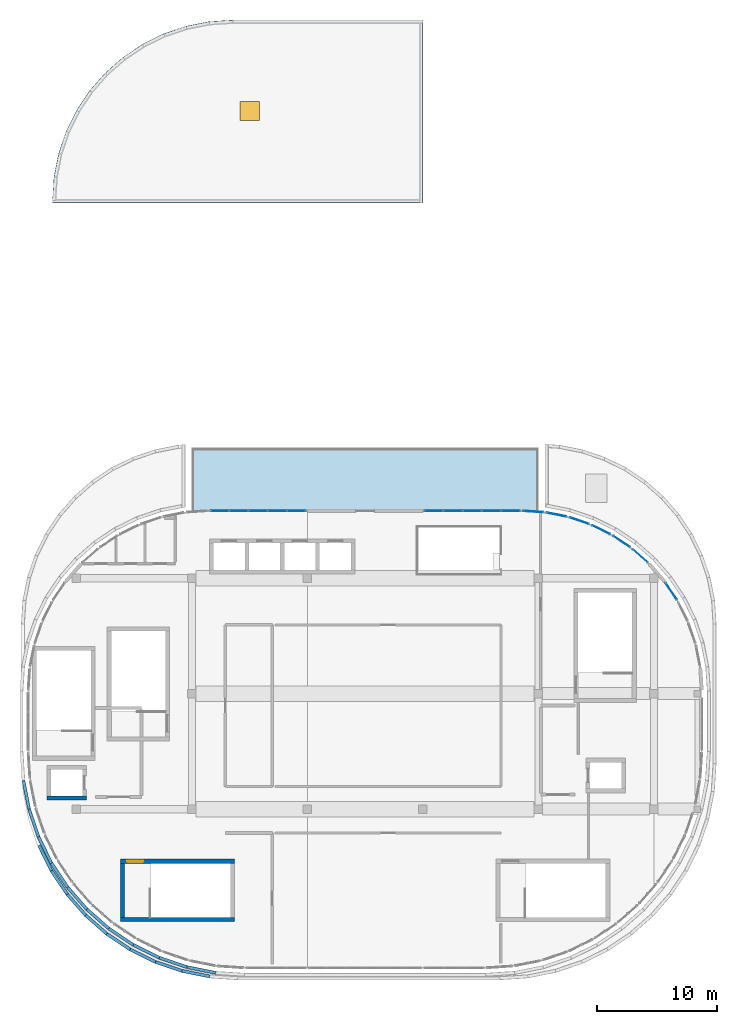
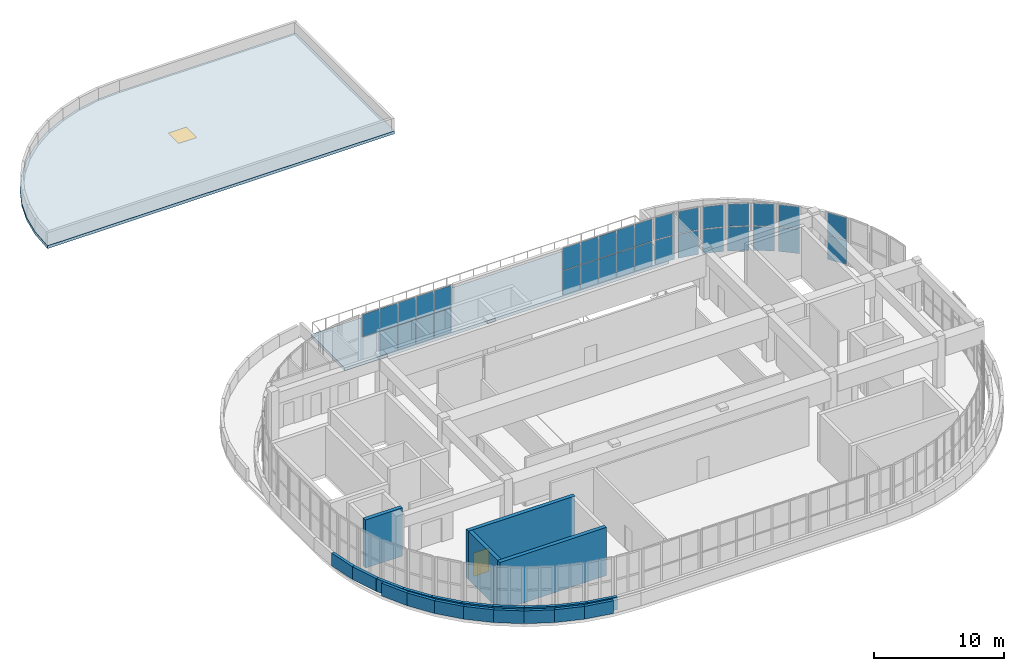
# One storey, part 16 of 23: 33 plates, 22 walls, 2 slabs, 1 door, 1 window, 2 openings, 9 elements without a shape of their own.
"""IFC4 building model written with IfcOpenShell, lengths in metres."""

import ifcopenshell
import ifcopenshell.guid

model = None  # the IFC model being written
_history = None  # IfcOwnerHistory: only IFC2X3 demands one
_inside = {}  # id of a spatial element -> (the spatial element, [elements in it])
_under = {}  # id of a project, library or spatial element -> (it, [spatial elements below it])
_declared = {}  # id of a project -> (the project, [libraries it declares])
_typed = {}  # id of a type object -> (the type object, [elements of that type])
_made_of = {}  # id of a material, layer set ... -> (it, [elements and type objects made of it])


def new_model(schema):
    """Start an empty IFC model of exactly this schema.

    Asked for "IFC4X3", IfcOpenShell would pick the latest addendum, in which some entities
    have other attributes; the version numbers below select the first issue.
    IFC2X3 requires an IfcOwnerHistory on every rooted entity: one is made here for all.
    """
    global model, _history
    if schema == "IFC4X3":
        model = ifcopenshell.file(schema_version=(4, 3, 0, 0))
    else:
        model = ifcopenshell.file(schema=schema)
    _inside.clear()
    _under.clear()
    _declared.clear()
    _typed.clear()
    _made_of.clear()
    _history = None
    if model.schema == "IFC2X3":
        org = make("IfcOrganization", Name="unknown")
        user = make(
            "IfcPersonAndOrganization",
            ThePerson=make("IfcPerson", FamilyName="unknown"),
            TheOrganization=org,
        )
        app = make(
            "IfcApplication",
            ApplicationDeveloper=org,
            Version="unknown",
            ApplicationFullName="unknown",
            ApplicationIdentifier="unknown",
        )
        _history = make(
            "IfcOwnerHistory",
            OwningUser=user,
            OwningApplication=app,
            ChangeAction="ADDED",
            CreationDate=0,
        )
    return model


def make(cls, **values):
    """One entity of the class cls with the attributes given. An attribute that is None is left unset."""
    return model.create_entity(
        cls, **{name: value for name, value in values.items() if value is not None}
    )


def rooted(cls, **values):
    """An entity with a GlobalId (a new one), such as an element, a storey or a relation."""
    return make(cls, GlobalId=ifcopenshell.guid.new(), OwnerHistory=_history, **values)


def si_unit(unit_type, name, prefix=None):
    """IfcSIUnit, for example si_unit("LENGTHUNIT", "METRE", prefix="MILLI")."""
    return make("IfcSIUnit", UnitType=unit_type, Prefix=prefix, Name=name)


def assignment(units):
    """IfcUnitAssignment: the units of a project."""
    return None if units is None else make("IfcUnitAssignment", Units=units)


def point(xyz):
    """IfcCartesianPoint."""
    return None if xyz is None else make("IfcCartesianPoint", Coordinates=xyz)


def direction(xyz):
    """IfcDirection."""
    return None if xyz is None else make("IfcDirection", DirectionRatios=xyz)


def frame(location, z_axis=None, x_axis=None):
    """IfcAxis2Placement3D, a coordinate frame: its origin and axes. An axis left out is left unset."""
    return make(
        "IfcAxis2Placement3D",
        Location=point(location),
        Axis=direction(z_axis),
        RefDirection=direction(x_axis),
    )


def frame_2d(location, x_axis=None):
    """IfcAxis2Placement2D, a coordinate frame in the plane: its origin and x axis."""
    return make(
        "IfcAxis2Placement2D", Location=point(location), RefDirection=direction(x_axis)
    )


def origin():
    """The frame at (0, 0, 0) with its axes left unset."""
    return frame((0.0, 0.0, 0.0))


def origin_2d():
    """The frame at (0, 0) in the plane with its x axis left unset."""
    return frame_2d((0.0, 0.0))


def place(relative_to, where):
    """IfcLocalPlacement: puts the frame where relative to a parent placement (None: the world)."""
    return make(
        "IfcLocalPlacement", PlacementRelTo=relative_to, RelativePlacement=where
    )


def context(
    kind, dimensions, precision=None, world=None, true_north=None, identifier=None
):
    """IfcGeometricRepresentationContext, for example the 3D "Model" context."""
    return make(
        "IfcGeometricRepresentationContext",
        ContextIdentifier=identifier,
        ContextType=kind,
        CoordinateSpaceDimension=dimensions,
        Precision=precision,
        WorldCoordinateSystem=world,
        TrueNorth=true_north,
    )


def subcontext(parent, identifier, kind, view, scale=None):
    """IfcGeometricRepresentationSubContext, for example "Body" below "Model"."""
    return make(
        "IfcGeometricRepresentationSubContext",
        ContextIdentifier=identifier,
        ContextType=kind,
        ParentContext=parent,
        TargetScale=scale,
        TargetView=view,
    )


def project(units=None, contexts=None):
    """IfcProject with its units and contexts."""
    return rooted(
        "IfcProject",
        Name="project",
        RepresentationContexts=contexts,
        UnitsInContext=assignment(units),
    )


def spatial(cls, under=None, at=None, **own):
    """A site, building, storey or space (cls), placed at a placement, below another one or the project."""
    s = rooted(cls, ObjectPlacement=at, **own)
    if under is not None:
        _under.setdefault(under.id(), (under, []))[1].append(s)
    return s


def polyline(points):
    """IfcPolyline through the points."""
    return make("IfcPolyline", Points=[point(p) for p in points])


def profile(cls, at=None, kind="AREA", **sizes):
    """A parametric profile (cls). Its sizes go by their IFC names, for example OverallWidth=200.0."""
    return make(cls, ProfileType=kind, Position=at, **sizes)


def rectangle(**sizes):
    """IfcRectangleProfileDef."""
    return profile("IfcRectangleProfileDef", **sizes)


def outline(outer, holes=None, kind="AREA"):
    """IfcArbitraryClosedProfileDef: a profile drawn as a closed curve; with holes, ...WithVoids."""
    if holes is None:
        return make("IfcArbitraryClosedProfileDef", ProfileType=kind, OuterCurve=outer)
    return make(
        "IfcArbitraryProfileDefWithVoids",
        ProfileType=kind,
        OuterCurve=outer,
        InnerCurves=holes,
    )


def extrude(swept, where, along, depth):
    """IfcExtrudedAreaSolid: the profile swept, set in the frame where, extruded along a direction by depth."""
    return make(
        "IfcExtrudedAreaSolid",
        SweptArea=swept,
        Position=where,
        ExtrudedDirection=direction(along),
        Depth=depth,
    )


def shape(context_of_items, identifier, shape_type, items):
    """IfcShapeRepresentation: the items that make up one representation, for example the "Body"."""
    return make(
        "IfcShapeRepresentation",
        ContextOfItems=context_of_items,
        RepresentationIdentifier=identifier,
        RepresentationType=shape_type,
        Items=items,
    )


def material(Name=None, Category=None):
    """IfcMaterial."""
    return make("IfcMaterial", Name=Name, Category=Category)


def layer(
    of_material, thickness, ventilated=None, Name=None, Category=None, Priority=None
):
    """IfcMaterialLayer: one layer of a wall or slab, of a material (None: an air gap)."""
    return make(
        "IfcMaterialLayer",
        Material=of_material,
        LayerThickness=thickness,
        IsVentilated=ventilated,
        Name=Name,
        Category=Category,
        Priority=Priority,
    )


def layer_set(layers, Name=None):
    """IfcMaterialLayerSet."""
    return make("IfcMaterialLayerSet", MaterialLayers=layers, LayerSetName=Name)


def made_of(thing, what):
    """Note that an element or type object is made of a material, layer set ...; save() writes the relation."""
    if what is not None:
        _made_of.setdefault(what.id(), (what, []))[1].append(thing)
    return thing


def type_object(cls, material=None, **own):
    """A type object (cls), such as IfcWallType, which elements share."""
    return made_of(rooted(cls, **own), material)


def element(
    cls,
    number,
    at=None,
    inside=None,
    cuts=None,
    type_object=None,
    material=None,
    context=None,
    identifier="Body",
    shape_type=None,
    held_by="IfcProductDefinitionShape",
    body=None,
    shapes=None,
    **own,
):
    """One element of the class cls, such as IfcWall. Its Tag is "e" and its number.

    at: its placement. inside: the storey or other place that contains it. cuts: it is an
    opening in that element (IfcRelVoidsElement). A single representation is given by context,
    identifier, shape_type and body (its items); several are given by shapes. held_by: the class
    of the entity that holds the representations. save() writes the other relations.
    """
    e = rooted(cls, Tag="e%d" % number, ObjectPlacement=at, **own)
    if body is not None:
        shapes = [shape(context, identifier, shape_type, body)]
    if shapes is not None:
        e.Representation = make(held_by, Representations=shapes)
    if inside is not None:
        _inside.setdefault(inside.id(), (inside, []))[1].append(e)
    if cuts is not None:
        rooted(
            "IfcRelVoidsElement", RelatingBuildingElement=cuts, RelatedOpeningElement=e
        )
    if type_object is not None:
        _typed.setdefault(type_object.id(), (type_object, []))[1].append(e)
    return made_of(e, material)


def fill(opening, filler):
    """IfcRelFillsElement: the door or window that sits in an opening."""
    return rooted(
        "IfcRelFillsElement",
        RelatingOpeningElement=opening,
        RelatedBuildingElement=filler,
    )


def aggregate(whole, parts):
    """IfcRelAggregates: a whole, such as a stair, and the parts it consists of."""
    return rooted("IfcRelAggregates", RelatingObject=whole, RelatedObjects=parts)


def save(model, path):
    """Write the relations noted so far, then the file.

    IfcRelAggregates (storeys below a building ...), IfcRelContainedInSpatialStructure (elements
    in a storey), IfcRelDefinesByType, IfcRelAssociatesMaterial and IfcRelDeclares: one each for
    every whole, place, type object, material and project.
    """
    for whole, parts in _under.values():
        aggregate(whole, parts)
    for where, things in _inside.values():
        rooted(
            "IfcRelContainedInSpatialStructure",
            RelatedElements=things,
            RelatingStructure=where,
        )
    for kind, things in _typed.values():
        rooted("IfcRelDefinesByType", RelatedObjects=things, RelatingType=kind)
    for what, things in _made_of.values():
        rooted("IfcRelAssociatesMaterial", RelatedObjects=things, RelatingMaterial=what)
    for by, libraries in _declared.values():
        rooted("IfcRelDeclares", RelatingContext=by, RelatedDefinitions=libraries)
    model.write(path)


model = new_model("IFC4")

# Units and contexts
model_context = context("Model", 3, precision=1e-05, world=origin(), true_north=direction((0.0, 1.0)))
body_context = subcontext(model_context, "Body", "Model", "MODEL_VIEW")
ifc_project = project(units=[si_unit("LENGTHUNIT", "METRE"), si_unit("AREAUNIT", "SQUARE_METRE"), si_unit("VOLUMEUNIT", "CUBIC_METRE"), si_unit("PLANEANGLEUNIT", "RADIAN"), si_unit("MASSUNIT", "GRAM", prefix="KILO")], contexts=[model_context])

# Site, building, storey
site_placement = place(None, origin())
site = spatial("IfcSite", under=ifc_project, at=site_placement, CompositionType="ELEMENT")
building_placement = place(site_placement, origin())
building = spatial("IfcBuilding", under=site, at=building_placement, Name="Cendralis Terraced Arcade", CompositionType="ELEMENT")
storey_placement = place(building_placement, frame((0.0, 0.0, 29.39990234375)))
storey = spatial("IfcBuildingStorey", under=building, at=storey_placement, Name="L06", CompositionType="ELEMENT", Elevation=29.39990234375)

# Curtain wall, plates
ifc_material_1 = material(Name="Anodised aluminium EN AW-6063 T6", Category="aluminium")
ifc_layer_1 = layer(ifc_material_1, 0.179931640625, Name="CW-UNIT-A")
ifc_layer_set_1 = layer_set([ifc_layer_1], Name="Anodised aluminium EN AW-6063 T6")
curtain_wall_type_1 = type_object("IfcCurtainWallType", Name="CW-UNIT-A", PredefinedType="USERDEFINED", material=ifc_layer_set_1)
curtain_wall_1_placement = place(storey_placement, origin())
curtain_wall_1 = element("IfcCurtainWall", 1, at=curtain_wall_1_placement, inside=storey, type_object=curtain_wall_type_1, Name="Exterior Unitised Facade CW-L06-0459", ObjectType="UNITISED FACADE", PredefinedType="USERDEFINED")
ifc_material_2 = material(Name="Tempered solar control laminated glass", Category="glass")
ifc_layer_2 = layer(ifc_material_2, 0.035888671875, Name="CW-UNIT-A-PNL")
ifc_layer_set_2 = layer_set([ifc_layer_2], Name="Tempered solar control laminated glass")
plate_type_1 = type_object("IfcPlateType", Name="CW-UNIT-A-PNL", PredefinedType="CURTAIN_PANEL", material=ifc_layer_set_2)
plate_1_placement = place(storey_placement, frame((47.578857421875, 43.935791015625, 0.06494140625), z_axis=(0.0, 0.0, 1.0), x_axis=(0.997860971336, -0.065371873798, 0.0)))
plate_1 = element("IfcPlate", 2, at=plate_1_placement, type_object=plate_type_1, Name="CW-U1 panel 1.1", PredefinedType="CURTAIN_PANEL", context=body_context, shape_type="SweptSolid", body=[
    extrude(rectangle(XDim=1.652099609375, YDim=0.035888671875, at=origin_2d()), origin(), (0.0, 0.0, 1.0), 2.255615234375),
])
plate_2_placement = place(storey_placement, frame((47.578857421875, 43.935791015625, 2.3857421875), z_axis=(0.0, 0.0, 1.0), x_axis=(0.997860971336, -0.065371873798, 0.0)))
plate_2 = element("IfcPlate", 3, at=plate_2_placement, type_object=plate_type_1, Name="CW-U1 panel 1.2", PredefinedType="CURTAIN_PANEL", context=body_context, shape_type="SweptSolid", body=[
    extrude(rectangle(XDim=1.652099609375, YDim=0.035888671875, at=origin_2d()), origin(), (0.0, 0.0, 1.0), 2.074462890625),
])
aggregate(curtain_wall_1, [plate_1, plate_2])

curtain_wall_2_placement = place(storey_placement, origin())
curtain_wall_2 = element("IfcCurtainWall", 4, at=curtain_wall_2_placement, inside=storey, type_object=curtain_wall_type_1, Name="Exterior Unitised Facade CW-L06-0460", ObjectType="UNITISED FACADE", PredefinedType="USERDEFINED")
plate_3_placement = place(storey_placement, frame((49.52001953125, 43.680419921875, 0.06494140625), z_axis=(0.0, 0.0, 1.0), x_axis=(0.980791618721, -0.195058454434, 0.0)))
plate_3 = element("IfcPlate", 5, at=plate_3_placement, type_object=plate_type_1, Name="CW-U1 panel 1.1", PredefinedType="CURTAIN_PANEL", context=body_context, shape_type="SweptSolid", body=[
    extrude(rectangle(XDim=1.652099609375, YDim=0.035888671875, at=origin_2d()), origin(), (0.0, 0.0, 1.0), 2.255615234375),
])
plate_4_placement = place(storey_placement, frame((49.52001953125, 43.680419921875, 2.3857421875), z_axis=(0.0, 0.0, 1.0), x_axis=(0.980791618721, -0.195058454434, 0.0)))
plate_4 = element("IfcPlate", 6, at=plate_4_placement, type_object=plate_type_1, Name="CW-U1 panel 1.2", PredefinedType="CURTAIN_PANEL", context=body_context, shape_type="SweptSolid", body=[
    extrude(rectangle(XDim=1.652099609375, YDim=0.035888671875, at=origin_2d()), origin(), (0.0, 0.0, 1.0), 2.074462890625),
])
aggregate(curtain_wall_2, [plate_3, plate_4])

curtain_wall_3_placement = place(storey_placement, origin())
curtain_wall_3 = element("IfcCurtainWall", 7, at=curtain_wall_3_placement, inside=storey, type_object=curtain_wall_type_1, Name="Exterior Unitised Facade CW-L06-0461", ObjectType="UNITISED FACADE", PredefinedType="USERDEFINED")
plate_5_placement = place(storey_placement, frame((51.411376953125, 43.173583984375, 0.06494140625), z_axis=(0.0, 0.0, 1.0), x_axis=(0.946923811316, -0.321458077458, 0.0)))
plate_5 = element("IfcPlate", 8, at=plate_5_placement, type_object=plate_type_1, Name="CW-U1 panel 1.1", PredefinedType="CURTAIN_PANEL", context=body_context, shape_type="SweptSolid", body=[
    extrude(rectangle(XDim=1.652099609375, YDim=0.035888671875, at=origin_2d()), origin(), (0.0, 0.0, 1.0), 2.255615234375),
])
plate_6_placement = place(storey_placement, frame((51.411376953125, 43.173583984375, 2.3857421875), z_axis=(0.0, 0.0, 1.0), x_axis=(0.946923811316, -0.321458077458, 0.0)))
plate_6 = element("IfcPlate", 9, at=plate_6_placement, type_object=plate_type_1, Name="CW-U1 panel 1.2", PredefinedType="CURTAIN_PANEL", context=body_context, shape_type="SweptSolid", body=[
    extrude(rectangle(XDim=1.652099609375, YDim=0.035888671875, at=origin_2d()), origin(), (0.0, 0.0, 1.0), 2.074462890625),
])
aggregate(curtain_wall_3, [plate_5, plate_6])

curtain_wall_4_placement = place(storey_placement, origin())
curtain_wall_4 = element("IfcCurtainWall", 10, at=curtain_wall_4_placement, inside=storey, type_object=curtain_wall_type_1, Name="Exterior Unitised Facade CW-L06-0462", ObjectType="UNITISED FACADE", PredefinedType="USERDEFINED")
plate_7_placement = place(storey_placement, frame((53.22021484375, 42.42431640625, 0.06494140625), z_axis=(0.0, 0.0, 1.0), x_axis=(0.896871480419, -0.442291247495, 0.0)))
plate_7 = element("IfcPlate", 11, at=plate_7_placement, type_object=plate_type_1, Name="CW-U1 panel 1.1", PredefinedType="CURTAIN_PANEL", context=body_context, shape_type="SweptSolid", body=[
    extrude(rectangle(XDim=1.652099609375, YDim=0.035888671875, at=origin_2d()), origin(), (0.0, 0.0, 1.0), 2.255615234375),
])
plate_8_placement = place(storey_placement, frame((53.22021484375, 42.42431640625, 2.3857421875), z_axis=(0.0, 0.0, 1.0), x_axis=(0.896871480419, -0.442291247495, 0.0)))
plate_8 = element("IfcPlate", 12, at=plate_8_placement, type_object=plate_type_1, Name="CW-U1 panel 1.2", PredefinedType="CURTAIN_PANEL", context=body_context, shape_type="SweptSolid", body=[
    extrude(rectangle(XDim=1.652099609375, YDim=0.035888671875, at=origin_2d()), origin(), (0.0, 0.0, 1.0), 2.074462890625),
])
aggregate(curtain_wall_4, [plate_7, plate_8])

curtain_wall_5_placement = place(storey_placement, origin())
curtain_wall_5 = element("IfcCurtainWall", 13, at=curtain_wall_5_placement, inside=storey, type_object=curtain_wall_type_1, Name="Exterior Unitised Facade CW-L06-0463", ObjectType="UNITISED FACADE", PredefinedType="USERDEFINED")
plate_9_placement = place(storey_placement, frame((54.915771484375, 41.4453125, 0.06494140625), z_axis=(0.0, 0.0, 1.0), x_axis=(0.831471454125, -0.555567476528, 0.0)))
plate_9 = element("IfcPlate", 14, at=plate_9_placement, type_object=plate_type_1, Name="CW-U1 panel 1.1", PredefinedType="CURTAIN_PANEL", context=body_context, shape_type="SweptSolid", body=[
    extrude(rectangle(XDim=1.652099609375, YDim=0.035888671875, at=origin_2d()), origin(), (0.0, 0.0, 1.0), 2.255615234375),
])
plate_10_placement = place(storey_placement, frame((54.915771484375, 41.4453125, 2.3857421875), z_axis=(0.0, 0.0, 1.0), x_axis=(0.831471454125, -0.555567476528, 0.0)))
plate_10 = element("IfcPlate", 15, at=plate_10_placement, type_object=plate_type_1, Name="CW-U1 panel 1.2", PredefinedType="CURTAIN_PANEL", context=body_context, shape_type="SweptSolid", body=[
    extrude(rectangle(XDim=1.652099609375, YDim=0.035888671875, at=origin_2d()), origin(), (0.0, 0.0, 1.0), 2.074462890625),
])
aggregate(curtain_wall_5, [plate_9, plate_10])

curtain_wall_6_placement = place(storey_placement, origin())
curtain_wall_6 = element("IfcCurtainWall", 16, at=curtain_wall_6_placement, inside=storey, type_object=curtain_wall_type_1, Name="Exterior Unitised Facade CW-L06-0464", ObjectType="UNITISED FACADE", PredefinedType="USERDEFINED")
plate_11_placement = place(storey_placement, frame((56.468994140625, 40.25341796875, 0.06494140625), z_axis=(0.0, 0.0, 1.0), x_axis=(0.751804497477, -0.659386076266, 0.0)))
plate_11 = element("IfcPlate", 17, at=plate_11_placement, type_object=plate_type_1, Name="CW-U1 panel 1.1", PredefinedType="CURTAIN_PANEL", context=body_context, shape_type="SweptSolid", body=[
    extrude(rectangle(XDim=1.652099609375, YDim=0.035888671875, at=origin_2d()), origin(), (0.0, 0.0, 1.0), 2.255615234375),
])
plate_12_placement = place(storey_placement, frame((56.468994140625, 40.25341796875, 2.3857421875), z_axis=(0.0, 0.0, 1.0), x_axis=(0.751804497477, -0.659386076266, 0.0)))
plate_12 = element("IfcPlate", 18, at=plate_12_placement, type_object=plate_type_1, Name="CW-U1 panel 1.2", PredefinedType="CURTAIN_PANEL", context=body_context, shape_type="SweptSolid", body=[
    extrude(rectangle(XDim=1.652099609375, YDim=0.035888671875, at=origin_2d()), origin(), (0.0, 0.0, 1.0), 2.074462890625),
])
aggregate(curtain_wall_6, [plate_11, plate_12])

curtain_wall_7_placement = place(storey_placement, origin())
curtain_wall_7 = element("IfcCurtainWall", 19, at=curtain_wall_7_placement, inside=storey, type_object=curtain_wall_type_1, Name="Exterior Unitised Facade CW-L06-0465", ObjectType="UNITISED FACADE", PredefinedType="USERDEFINED")
plate_13_placement = place(storey_placement, frame((59.04541015625, 37.315673828125, 0.06494140625), z_axis=(0.0, 0.0, 1.0), x_axis=(0.555567476528, -0.831471454125, 0.0)))
plate_13 = element("IfcPlate", 20, at=plate_13_placement, type_object=plate_type_1, Name="CW-U1 panel 1.1", PredefinedType="CURTAIN_PANEL", context=body_context, shape_type="SweptSolid", body=[
    extrude(rectangle(XDim=1.652099609375, YDim=0.035888671875, at=origin_2d()), origin(), (0.0, 0.0, 1.0), 2.255615234375),
])
plate_14_placement = place(storey_placement, frame((59.04541015625, 37.315673828125, 2.3857421875), z_axis=(0.0, 0.0, 1.0), x_axis=(0.555567476528, -0.831471454125, 0.0)))
plate_14 = element("IfcPlate", 21, at=plate_14_placement, type_object=plate_type_1, Name="CW-U1 panel 1.2", PredefinedType="CURTAIN_PANEL", context=body_context, shape_type="SweptSolid", body=[
    extrude(rectangle(XDim=1.652099609375, YDim=0.035888671875, at=origin_2d()), origin(), (0.0, 0.0, 1.0), 2.074462890625),
])
aggregate(curtain_wall_7, [plate_13, plate_14])

ifc_layer_3 = layer(ifc_material_1, 0.159912109375, Name="CW-UNIT-B")
ifc_layer_set_3 = layer_set([ifc_layer_3], Name="Anodised aluminium EN AW-6063 T6")
curtain_wall_type_2 = type_object("IfcCurtainWallType", Name="CW-UNIT-B", PredefinedType="USERDEFINED", material=ifc_layer_set_3)
curtain_wall_8_placement = place(storey_placement, origin())
curtain_wall_8 = element("IfcCurtainWall", 22, at=curtain_wall_8_placement, inside=storey, type_object=curtain_wall_type_2, Name="Exterior Unitised Facade CW-L06-0457", ObjectType="UNITISED FACADE", PredefinedType="USERDEFINED")
ifc_layer_4 = layer(ifc_material_2, 0.031982421875, Name="CW-UNIT-B-PNL")
ifc_layer_set_4 = layer_set([ifc_layer_4], Name="Tempered solar control laminated glass")
plate_type_2 = type_object("IfcPlateType", Name="CW-UNIT-B-PNL", PredefinedType="CURTAIN_PANEL", material=ifc_layer_set_4)
plate_15_placement = place(storey_placement, frame((21.50830078125, 44.0, 2.383056640625), z_axis=(0.0, 0.0, 1.0), x_axis=(1.0, 0.0, 0.0)))
plate_15 = element("IfcPlate", 23, at=plate_15_placement, type_object=plate_type_2, Name="CW-U2 panel 1.2", PredefinedType="CURTAIN_PANEL", context=body_context, shape_type="SweptSolid", body=[
    extrude(rectangle(XDim=1.506591796875, YDim=0.031982421875, at=origin_2d()), origin(), (0.0, 0.0, 1.0), 2.08203125),
])
plate_16_placement = place(storey_placement, frame((23.095947265625, 44.0, 0.06005859375), z_axis=(0.0, 0.0, 1.0), x_axis=(1.0, 0.0, 0.0)))
plate_16 = element("IfcPlate", 24, at=plate_16_placement, type_object=plate_type_2, Name="CW-U2 panel 2.1", PredefinedType="CURTAIN_PANEL", context=body_context, shape_type="SweptSolid", body=[
    extrude(rectangle(XDim=1.5390625, YDim=0.031982421875, at=origin_2d()), origin(), (0.0, 0.0, 1.0), 2.262939453125),
])
plate_17_placement = place(storey_placement, frame((23.095947265625, 44.0, 2.383056640625), z_axis=(0.0, 0.0, 1.0), x_axis=(1.0, 0.0, 0.0)))
plate_17 = element("IfcPlate", 25, at=plate_17_placement, type_object=plate_type_2, Name="CW-U2 panel 2.2", PredefinedType="CURTAIN_PANEL", context=body_context, shape_type="SweptSolid", body=[
    extrude(rectangle(XDim=1.5390625, YDim=0.031982421875, at=origin_2d()), origin(), (0.0, 0.0, 1.0), 2.08203125),
])
plate_18_placement = place(storey_placement, frame((24.699951171875, 44.0, 0.06005859375), z_axis=(0.0, 0.0, 1.0), x_axis=(1.0, 0.0, 0.0)))
plate_18 = element("IfcPlate", 26, at=plate_18_placement, type_object=plate_type_2, Name="CW-U2 panel 3.1", PredefinedType="CURTAIN_PANEL", context=body_context, shape_type="SweptSolid", body=[
    extrude(rectangle(XDim=1.5390625, YDim=0.031982421875, at=origin_2d()), origin(), (0.0, 0.0, 1.0), 2.262939453125),
])
plate_19_placement = place(storey_placement, frame((24.699951171875, 44.0, 2.383056640625), z_axis=(0.0, 0.0, 1.0), x_axis=(1.0, 0.0, 0.0)))
plate_19 = element("IfcPlate", 27, at=plate_19_placement, type_object=plate_type_2, Name="CW-U2 panel 3.2", PredefinedType="CURTAIN_PANEL", context=body_context, shape_type="SweptSolid", body=[
    extrude(rectangle(XDim=1.5390625, YDim=0.031982421875, at=origin_2d()), origin(), (0.0, 0.0, 1.0), 2.08203125),
])
plate_20_placement = place(storey_placement, frame((26.303955078125, 44.0, 0.06005859375), z_axis=(0.0, 0.0, 1.0), x_axis=(1.0, 0.0, 0.0)))
plate_20 = element("IfcPlate", 28, at=plate_20_placement, type_object=plate_type_2, Name="CW-U2 panel 4.1", PredefinedType="CURTAIN_PANEL", context=body_context, shape_type="SweptSolid", body=[
    extrude(rectangle(XDim=1.5390625, YDim=0.031982421875, at=origin_2d()), origin(), (0.0, 0.0, 1.0), 2.262939453125),
])
plate_21_placement = place(storey_placement, frame((26.303955078125, 44.0, 2.383056640625), z_axis=(0.0, 0.0, 1.0), x_axis=(1.0, 0.0, 0.0)))
plate_21 = element("IfcPlate", 29, at=plate_21_placement, type_object=plate_type_2, Name="CW-U2 panel 4.2", PredefinedType="CURTAIN_PANEL", context=body_context, shape_type="SweptSolid", body=[
    extrude(rectangle(XDim=1.5390625, YDim=0.031982421875, at=origin_2d()), origin(), (0.0, 0.0, 1.0), 2.08203125),
])
plate_22_placement = place(storey_placement, frame((27.891845703125, 44.0, 0.06005859375), z_axis=(0.0, 0.0, 1.0), x_axis=(1.0, 0.0, 0.0)))
plate_22 = element("IfcPlate", 30, at=plate_22_placement, type_object=plate_type_2, Name="CW-U2 panel 5.1", PredefinedType="CURTAIN_PANEL", context=body_context, shape_type="SweptSolid", body=[
    extrude(rectangle(XDim=1.506591796875, YDim=0.031982421875, at=origin_2d()), origin(), (0.0, 0.0, 1.0), 2.262939453125),
])
plate_23_placement = place(storey_placement, frame((27.891845703125, 44.0, 2.383056640625), z_axis=(0.0, 0.0, 1.0), x_axis=(1.0, 0.0, 0.0)))
plate_23 = element("IfcPlate", 31, at=plate_23_placement, type_object=plate_type_2, Name="CW-U2 panel 5.2", PredefinedType="CURTAIN_PANEL", context=body_context, shape_type="SweptSolid", body=[
    extrude(rectangle(XDim=1.506591796875, YDim=0.031982421875, at=origin_2d()), origin(), (0.0, 0.0, 1.0), 2.08203125),
])
aggregate(curtain_wall_8, [plate_15, plate_16, plate_17, plate_18, plate_19, plate_20, plate_21, plate_22, plate_23])

curtain_wall_9_placement = place(storey_placement, origin())
curtain_wall_9 = element("IfcCurtainWall", 32, at=curtain_wall_9_placement, inside=storey, type_object=curtain_wall_type_2, Name="Exterior Unitised Facade CW-L06-0458", ObjectType="UNITISED FACADE", PredefinedType="USERDEFINED")
plate_24_placement = place(storey_placement, frame((39.308349609375, 44.0, 0.06005859375), z_axis=(0.0, 0.0, 1.0), x_axis=(1.0, 0.0, 0.0)))
plate_24 = element("IfcPlate", 33, at=plate_24_placement, type_object=plate_type_2, Name="CW-U2 panel 1.1", PredefinedType="CURTAIN_PANEL", context=body_context, shape_type="SweptSolid", body=[
    extrude(rectangle(XDim=1.506591796875, YDim=0.031982421875, at=origin_2d()), origin(), (0.0, 0.0, 1.0), 2.262939453125),
])
plate_25_placement = place(storey_placement, frame((39.308349609375, 44.0, 2.383056640625), z_axis=(0.0, 0.0, 1.0), x_axis=(1.0, 0.0, 0.0)))
plate_25 = element("IfcPlate", 34, at=plate_25_placement, type_object=plate_type_2, Name="CW-U2 panel 1.2", PredefinedType="CURTAIN_PANEL", context=body_context, shape_type="SweptSolid", body=[
    extrude(rectangle(XDim=1.506591796875, YDim=0.031982421875, at=origin_2d()), origin(), (0.0, 0.0, 1.0), 2.08203125),
])
plate_26_placement = place(storey_placement, frame((40.89599609375, 44.0, 0.06005859375), z_axis=(0.0, 0.0, 1.0), x_axis=(1.0, 0.0, 0.0)))
plate_26 = element("IfcPlate", 35, at=plate_26_placement, type_object=plate_type_2, Name="CW-U2 panel 2.1", PredefinedType="CURTAIN_PANEL", context=body_context, shape_type="SweptSolid", body=[
    extrude(rectangle(XDim=1.5390625, YDim=0.031982421875, at=origin_2d()), origin(), (0.0, 0.0, 1.0), 2.262939453125),
])
plate_27_placement = place(storey_placement, frame((40.89599609375, 44.0, 2.383056640625), z_axis=(0.0, 0.0, 1.0), x_axis=(1.0, 0.0, 0.0)))
plate_27 = element("IfcPlate", 36, at=plate_27_placement, type_object=plate_type_2, Name="CW-U2 panel 2.2", PredefinedType="CURTAIN_PANEL", context=body_context, shape_type="SweptSolid", body=[
    extrude(rectangle(XDim=1.5390625, YDim=0.031982421875, at=origin_2d()), origin(), (0.0, 0.0, 1.0), 2.08203125),
])
plate_28_placement = place(storey_placement, frame((42.5, 44.0, 0.06005859375), z_axis=(0.0, 0.0, 1.0), x_axis=(1.0, 0.0, 0.0)))
plate_28 = element("IfcPlate", 37, at=plate_28_placement, type_object=plate_type_2, Name="CW-U2 panel 3.1", PredefinedType="CURTAIN_PANEL", context=body_context, shape_type="SweptSolid", body=[
    extrude(rectangle(XDim=1.5390625, YDim=0.031982421875, at=origin_2d()), origin(), (0.0, 0.0, 1.0), 2.262939453125),
])
plate_29_placement = place(storey_placement, frame((42.5, 44.0, 2.383056640625), z_axis=(0.0, 0.0, 1.0), x_axis=(1.0, 0.0, 0.0)))
plate_29 = element("IfcPlate", 38, at=plate_29_placement, type_object=plate_type_2, Name="CW-U2 panel 3.2", PredefinedType="CURTAIN_PANEL", context=body_context, shape_type="SweptSolid", body=[
    extrude(rectangle(XDim=1.5390625, YDim=0.031982421875, at=origin_2d()), origin(), (0.0, 0.0, 1.0), 2.08203125),
])
plate_30_placement = place(storey_placement, frame((44.10400390625, 44.0, 0.06005859375), z_axis=(0.0, 0.0, 1.0), x_axis=(1.0, 0.0, 0.0)))
plate_30 = element("IfcPlate", 39, at=plate_30_placement, type_object=plate_type_2, Name="CW-U2 panel 4.1", PredefinedType="CURTAIN_PANEL", context=body_context, shape_type="SweptSolid", body=[
    extrude(rectangle(XDim=1.5390625, YDim=0.031982421875, at=origin_2d()), origin(), (0.0, 0.0, 1.0), 2.262939453125),
])
plate_31_placement = place(storey_placement, frame((44.10400390625, 44.0, 2.383056640625), z_axis=(0.0, 0.0, 1.0), x_axis=(1.0, 0.0, 0.0)))
plate_31 = element("IfcPlate", 40, at=plate_31_placement, type_object=plate_type_2, Name="CW-U2 panel 4.2", PredefinedType="CURTAIN_PANEL", context=body_context, shape_type="SweptSolid", body=[
    extrude(rectangle(XDim=1.5390625, YDim=0.031982421875, at=origin_2d()), origin(), (0.0, 0.0, 1.0), 2.08203125),
])
plate_32_placement = place(storey_placement, frame((45.691650390625, 44.0, 0.06005859375), z_axis=(0.0, 0.0, 1.0), x_axis=(1.0, 0.0, 0.0)))
plate_32 = element("IfcPlate", 41, at=plate_32_placement, type_object=plate_type_2, Name="CW-U2 panel 5.1", PredefinedType="CURTAIN_PANEL", context=body_context, shape_type="SweptSolid", body=[
    extrude(rectangle(XDim=1.506591796875, YDim=0.031982421875, at=origin_2d()), origin(), (0.0, 0.0, 1.0), 2.262939453125),
])
plate_33_placement = place(storey_placement, frame((45.691650390625, 44.0, 2.383056640625), z_axis=(0.0, 0.0, 1.0), x_axis=(1.0, 0.0, 0.0)))
plate_33 = element("IfcPlate", 42, at=plate_33_placement, type_object=plate_type_2, Name="CW-U2 panel 5.2", PredefinedType="CURTAIN_PANEL", context=body_context, shape_type="SweptSolid", body=[
    extrude(rectangle(XDim=1.506591796875, YDim=0.031982421875, at=origin_2d()), origin(), (0.0, 0.0, 1.0), 2.08203125),
])
aggregate(curtain_wall_9, [plate_24, plate_25, plate_26, plate_27, plate_28, plate_29, plate_30, plate_31, plate_32, plate_33])

# Slab, opening, window
ifc_material_3 = material(Name="Concrete f'c 35 MPa", Category="concrete")
ifc_layer_5 = layer(ifc_material_3, 0.27490234375, Name="SLB-ROOF-275")
ifc_layer_set_5 = layer_set([ifc_layer_5], Name="Concrete f'c 35 MPa")
slab_type_1 = type_object("IfcSlabType", Name="SLB-ROOF-275", PredefinedType="ROOF", material=ifc_layer_set_5)
slab_1_placement = place(storey_placement, frame((0.0, 0.0, -0.27490234375)))
slab_1 = element("IfcSlab", 43, at=slab_1_placement, inside=storey, type_object=slab_type_1, Name="Insulated Flat Concrete Roof Slab ROOF-FLAT-L06-2", PredefinedType="ROOF", context=body_context, shape_type="SweptSolid", body=[
    extrude(outline(polyline([(8.111083984375, 73.682373046875), (8.74169921875, 75.540283203125), (9.609619140625, 77.300048828125), (10.69970703125, 78.931396484375), (11.993408203125, 80.406494140625), (13.468505859375, 81.7001953125), (15.10009765625, 82.790283203125), (16.859619140625, 83.658203125), (18.7177734375, 84.288818359375), (20.64208984375, 84.671630859375), (22.60009765625, 84.800048828125), (38.39990234375, 84.800048828125), (38.39990234375, 69.60009765625), (7.60009765625, 69.60009765625), (7.728271484375, 71.7578125), (8.111083984375, 73.682373046875)])), origin(), (0.0, 0.0, 1.0), 0.27490234375),
])
opening_1_placement = place(slab_1_placement, frame((24.0, 77.240966796875, 0.0)))
opening_1 = element("IfcOpeningElement", 44, at=opening_1_placement, cuts=slab_1, Name="Opening SK-04", PredefinedType="OPENING", context=body_context, shape_type="SweptSolid", body=[
    extrude(rectangle(XDim=1.60009765625, YDim=1.60009765625, at=origin_2d()), frame((0.0, 0.0, -0.011962890625)), (0.0, 0.0, 1.0), 0.298828125),
])
window_type = type_object("IfcWindowType", Name="SKY-1600x1600", PartitioningType="SINGLE_PANEL", PredefinedType="SKYLIGHT", material=ifc_material_2)
window_placement = place(opening_1_placement, frame((0.0, 0.0, 0.224853515625)))
window = element("IfcWindow", 45, at=window_placement, inside=storey, type_object=window_type, Name="Insulated Laminated Glass Roof Skylight SKY-L06-08", OverallHeight=1.60009765625, OverallWidth=1.60009765625, PartitioningType="SINGLE_PANEL", PredefinedType="SKYLIGHT", context=body_context, shape_type="SweptSolid", body=[
    extrude(rectangle(XDim=1.60009765625, YDim=1.60009765625, at=origin_2d()), origin(), (0.0, 0.0, 1.0), 0.050048828125),
])
fill(opening_1, window)

# Slab
ifc_layer_6 = layer(ifc_material_3, 0.284912109375, Name="SLB-TER-250")
ifc_layer_set_6 = layer_set([ifc_layer_6], Name="Concrete f'c 35 MPa")
slab_type_2 = type_object("IfcSlabType", Name="SLB-TER-250", PredefinedType="FLOOR", material=ifc_layer_set_6)
slab_2_placement = place(storey_placement, frame((0.0, 0.0, -0.284912109375)))
element("IfcSlab", 46, at=slab_2_placement, inside=storey, type_object=slab_type_2, Name="Crown Panoramic Planted Terrace L06", PredefinedType="FLOOR", context=body_context, shape_type="SweptSolid", body=[
    extrude(outline(polyline([(19.199951171875, 44.0), (19.199951171875, 49.199951171875), (48.0, 49.199951171875), (48.0, 44.0), (19.199951171875, 44.0)])), origin(), (0.0, 0.0, 1.0), 0.284912109375),
])

# Wall
ifc_material_4 = material(Name="Concrete f'c 42 MPa", Category="concrete")
ifc_layer_7 = layer(ifc_material_4, 0.340087890625, Name="WL-CORE-340")
ifc_layer_set_7 = layer_set([ifc_layer_7], Name="Concrete f'c 42 MPa")
wall_type_1 = type_object("IfcWallType", Name="WL-CORE-340", PredefinedType="SHEAR", material=ifc_layer_set_7)
wall_1_placement = place(storey_placement, frame((13.260009765625, 10.030029296875, 0.0), z_axis=(0.0, 0.0, 1.0), x_axis=(1.0, 0.0, 0.0)))
element("IfcWall", 47, at=wall_1_placement, inside=storey, type_object=wall_type_1, Name="Stair Core Reinforced Concrete Shear Wall SW-ST-02-L06-S", PredefinedType="SHEAR", context=body_context, shape_type="SweptSolid", body=[
    extrude(rectangle(XDim=9.47998046875, YDim=0.340087890625, at=frame_2d((4.739990234375, 0.0))), origin(), (0.0, 0.0, 1.0), 4.525146484375),
])

# Wall, opening, door
wall_2_placement = place(storey_placement, frame((13.260009765625, 14.8701171875, 0.0), z_axis=(0.0, 0.0, 1.0), x_axis=(1.0, 0.0, 0.0)))
wall_2 = element("IfcWall", 48, at=wall_2_placement, inside=storey, type_object=wall_type_1, Name="Stair Core Reinforced Concrete Shear Wall SW-ST-02-L06-N", PredefinedType="SHEAR", context=body_context, shape_type="SweptSolid", body=[
    extrude(rectangle(XDim=9.47998046875, YDim=0.340087890625, at=frame_2d((4.739990234375, 0.0))), origin(), (0.0, 0.0, 1.0), 4.525146484375),
])
opening_2_placement = place(wall_2_placement, frame((0.550048828125, 0.0, 0.0)))
opening_2 = element("IfcOpeningElement", 49, at=opening_2_placement, cuts=wall_2, Name="Opening D-ST-02-L06", PredefinedType="OPENING", context=body_context, shape_type="SweptSolid", body=[
    extrude(rectangle(XDim=1.35009765625, YDim=2.199951171875, at=frame_2d((0.675048828125, 1.10009765625))), frame((0.0, 0.18212890625, 0.0), z_axis=(0.0, -1.0, 0.0), x_axis=(1.0, 0.0, 0.0)), (0.0, 0.0, 1.0), 0.364013671875),
])
ifc_material_5 = material(Name="Galvanised fire-rated steel door assembly", Category="steel")
door_type = type_object("IfcDoorType", Name="ID-ST-1350x2200", OperationType="NOTDEFINED", PredefinedType="DOOR", material=ifc_material_5)
door_placement = place(opening_2_placement, frame((1.35009765625, 0.0, 0.0), z_axis=(0.0, 0.0, 1.0), x_axis=(-1.0, 0.0, 0.0)))
door = element("IfcDoor", 50, at=door_placement, inside=storey, type_object=door_type, Name="Protected Stair ST-02 Fire Door (L06)", OperationType="SINGLE_SWING_LEFT", OverallHeight=2.199951171875, OverallWidth=1.35009765625, PredefinedType="DOOR", context=body_context, shape_type="SweptSolid", body=[
    extrude(rectangle(XDim=1.35009765625, YDim=2.199951171875, at=frame_2d((0.675048828125, 1.10009765625))), frame((0.0, 0.02490234375, 0.0), z_axis=(0.0, -1.0, 0.0), x_axis=(1.0, 0.0, 0.0)), (0.0, 0.0, 1.0), 0.050048828125),
])
fill(opening_2, door)

# Walls
wall_3_placement = place(storey_placement, frame((13.429931640625, 10.199951171875, 0.0), z_axis=(0.0, 0.0, 1.0), x_axis=(0.0, 1.0, 0.0)))
element("IfcWall", 51, at=wall_3_placement, inside=storey, type_object=wall_type_1, Name="Stair Core Reinforced Concrete Shear Wall SW-ST-02-L06-W", PredefinedType="SHEAR", context=body_context, shape_type="SweptSolid", body=[
    extrude(rectangle(XDim=4.5, YDim=0.340087890625, at=frame_2d((2.25, 0.0))), origin(), (0.0, 0.0, 1.0), 4.525146484375),
])
wall_4_placement = place(storey_placement, frame((7.159912109375, 20.1298828125, 0.0), z_axis=(0.0, 0.0, 1.0), x_axis=(1.0, 0.0, 0.0)))
element("IfcWall", 52, at=wall_4_placement, inside=storey, type_object=wall_type_1, Name="Lift FFL-01 Reinforced Concrete Shaft Wall (L06)", PredefinedType="SHEAR", context=body_context, shape_type="SweptSolid", body=[
    extrude(rectangle(XDim=3.280029296875, YDim=0.340087890625, at=frame_2d((1.64013671875, 0.0))), origin(), (0.0, 0.0, 1.0), 4.525146484375),
])
ifc_material_6 = material(Name="Precast concrete f'c 40 MPa", Category="concrete")
ifc_layer_8 = layer(ifc_material_6, 0.25, Name="WL-PAR-250")
ifc_layer_set_8 = layer_set([ifc_layer_8], Name="Precast concrete f'c 40 MPa")
wall_type_2 = type_object("IfcWallType", Name="WL-PAR-250", PredefinedType="PARAPET", material=ifc_layer_set_8)
for number, where, z_axis, x_axis, name in (
    (53, (5.194580078125, 21.5673828125, 0.0), (0.0, 0.0, 1.0), (0.195044345786, -0.980794424524, 0.0), "Precast Concrete Roof Parapet Wall PAR-L06-461"),
    (54, (5.66943359375, 19.185791015625, 0.0), (0.0, 0.0, 1.0), (0.321481300782, -0.946915927233, 0.0), "Precast Concrete Roof Parapet Wall PAR-L06-462"),
):
    element("IfcWall", number, at=place(storey_placement, frame(where, z_axis=z_axis, x_axis=x_axis)), inside=storey, type_object=wall_type_2, Name=name, PredefinedType="PARAPET", context=body_context, shape_type="SweptSolid", body=[
        extrude(rectangle(XDim=2.40966796875, YDim=0.25, at=frame_2d((1.204833984375, 0.0))), origin(), (0.0, 0.0, 1.0), 1.2001953125),
    ])
for number, where, z_axis, x_axis, name in (
    (55, (6.451416015625, 16.886474609375, 0.0), (0.0, 0.0, 1.0), (0.442302532903, -0.896865914943, 0.0), "Precast Concrete Roof Parapet Wall PAR-L06-463"),
    (56, (7.5263671875, 14.708984375, 0.0), (0.0, 0.0, 1.0), (0.555565056105, -0.831473071383, 0.0), "Precast Concrete Roof Parapet Wall PAR-L06-464"),
):
    element("IfcWall", number, at=place(storey_placement, frame(where, z_axis=z_axis, x_axis=x_axis)), inside=storey, type_object=wall_type_2, Name=name, PredefinedType="PARAPET", context=body_context, shape_type="SweptSolid", body=[
        extrude(rectangle(XDim=2.409423828125, YDim=0.25, at=frame_2d((1.20458984375, 0.0))), origin(), (0.0, 0.0, 1.0), 1.2001953125),
    ])
for number, where, z_axis, x_axis, name in (
    (57, (8.876708984375, 12.6904296875, 0.0), (0.0, 0.0, 1.0), (0.659393616135, -0.751797884408, 0.0), "Precast Concrete Roof Parapet Wall PAR-L06-465"),
    (58, (10.47900390625, 10.865478515625, 0.0), (0.0, 0.0, 1.0), (0.751797884408, -0.659393616135, 0.0), "Precast Concrete Roof Parapet Wall PAR-L06-466"),
    (59, (12.305419921875, 9.26513671875, 0.0), (0.0, 0.0, 1.0), (0.831504341654, -0.555518253355, 0.0), "Precast Concrete Roof Parapet Wall PAR-L06-467"),
    (60, (14.325439453125, 7.9169921875, 0.0), (0.0, 0.0, 1.0), (0.896885735454, -0.442262340178, 0.0), "Precast Concrete Roof Parapet Wall PAR-L06-468"),
):
    element("IfcWall", number, at=place(storey_placement, frame(where, z_axis=z_axis, x_axis=x_axis)), inside=storey, type_object=wall_type_2, Name=name, PredefinedType="PARAPET", context=body_context, shape_type="SweptSolid", body=[
        extrude(rectangle(XDim=2.40966796875, YDim=0.25, at=frame_2d((1.204833984375, 0.0))), origin(), (0.0, 0.0, 1.0), 1.2001953125),
    ])
wall_5_placement = place(storey_placement, frame((16.50390625, 6.843994140625, 0.0), z_axis=(0.0, 0.0, 1.0), x_axis=(0.946926396941, -0.321450460842, 0.0)))
element("IfcWall", 61, at=wall_5_placement, inside=storey, type_object=wall_type_2, Name="Precast Concrete Roof Parapet Wall PAR-L06-469", PredefinedType="PARAPET", context=body_context, shape_type="SweptSolid", body=[
    extrude(rectangle(XDim=2.409912109375, YDim=0.25, at=frame_2d((1.205078125, 0.0))), origin(), (0.0, 0.0, 1.0), 1.2001953125),
])
wall_6_placement = place(storey_placement, frame((18.80419921875, 6.064453125, 0.0), z_axis=(0.0, 0.0, 1.0), x_axis=(0.980790569437, -0.195063730361, 0.0)))
element("IfcWall", 62, at=wall_6_placement, inside=storey, type_object=wall_type_2, Name="Precast Concrete Roof Parapet Wall PAR-L06-470", PredefinedType="PARAPET", context=body_context, shape_type="SweptSolid", body=[
    extrude(rectangle(XDim=2.409423828125, YDim=0.25, at=frame_2d((1.20458984375, 0.0))), origin(), (0.0, 0.0, 1.0), 1.2001953125),
])
wall_7_placement = place(storey_placement, frame((20.6787109375, 5.296142578125, 0.0), z_axis=(0.0, 0.0, 1.0), x_axis=(-0.980771650168, 0.195158833328, 0.0)))
element("IfcWall", 63, at=wall_7_placement, inside=storey, type_object=wall_type_2, Name="Precast Concrete Roof Parapet Wall PAR-L06-525", PredefinedType="PARAPET", context=body_context, shape_type="SweptSolid", body=[
    extrude(rectangle(XDim=2.354248046875, YDim=0.25, at=frame_2d((1.17724609375, 0.0))), origin(), (0.0, 0.0, 1.0), 1.2001953125),
])
wall_8_placement = place(storey_placement, frame((18.387939453125, 5.75048828125, 0.0), z_axis=(0.0, 0.0, 1.0), x_axis=(-0.946906008448, 0.321510514858, 0.0)))
element("IfcWall", 64, at=wall_8_placement, inside=storey, type_object=wall_type_2, Name="Precast Concrete Roof Parapet Wall PAR-L06-526", PredefinedType="PARAPET", context=body_context, shape_type="SweptSolid", body=[
    extrude(rectangle(XDim=2.354736328125, YDim=0.25, at=frame_2d((1.17724609375, 0.0))), origin(), (0.0, 0.0, 1.0), 1.2001953125),
])
wall_9_placement = place(storey_placement, frame((16.17578125, 6.500244140625, 0.0), z_axis=(0.0, 0.0, 1.0), x_axis=(-0.896881576615, 0.442270773993, 0.0)))
element("IfcWall", 65, at=wall_9_placement, inside=storey, type_object=wall_type_2, Name="Precast Concrete Roof Parapet Wall PAR-L06-527", PredefinedType="PARAPET", context=body_context, shape_type="SweptSolid", body=[
    extrude(rectangle(XDim=2.354248046875, YDim=0.25, at=frame_2d((1.17724609375, 0.0))), origin(), (0.0, 0.0, 1.0), 1.2001953125),
])
for number, where, z_axis, x_axis, name in (
    (66, (14.08056640625, 7.531982421875, 0.0), (0.0, 0.0, 1.0), (-0.831475575397, 0.555561308514, 0.0), "Precast Concrete Roof Parapet Wall PAR-L06-528"),
    (67, (12.137939453125, 8.82861328125, 0.0), (0.0, 0.0, 1.0), (-0.751837562991, 0.659348374439, 0.0), "Precast Concrete Roof Parapet Wall PAR-L06-529"),
    (68, (10.381103515625, 10.36767578125, 0.0), (0.0, 0.0, 1.0), (-0.659348374439, 0.751837562991, 0.0), "Precast Concrete Roof Parapet Wall PAR-L06-530"),
    (69, (8.840087890625, 12.122802734375, 0.0), (0.0, 0.0, 1.0), (-0.555561308514, 0.831475575397, 0.0), "Precast Concrete Roof Parapet Wall PAR-L06-531"),
):
    element("IfcWall", number, at=place(storey_placement, frame(where, z_axis=z_axis, x_axis=x_axis)), inside=storey, type_object=wall_type_2, Name=name, PredefinedType="PARAPET", context=body_context, shape_type="SweptSolid", body=[
        extrude(rectangle(XDim=2.3544921875, YDim=0.25, at=frame_2d((1.17724609375, 0.0))), origin(), (0.0, 0.0, 1.0), 1.2001953125),
    ])
wall_10_placement = place(storey_placement, frame((7.54150390625, 14.064208984375, 0.0), z_axis=(0.0, 0.0, 1.0), x_axis=(-0.442270773993, 0.896881576615, 0.0)))
element("IfcWall", 70, at=wall_10_placement, inside=storey, type_object=wall_type_2, Name="Precast Concrete Roof Parapet Wall PAR-L06-532", PredefinedType="PARAPET", context=body_context, shape_type="SweptSolid", body=[
    extrude(rectangle(XDim=2.354248046875, YDim=0.25, at=frame_2d((1.17724609375, 0.0))), origin(), (0.0, 0.0, 1.0), 1.2001953125),
])

save(model, "model.ifc")
